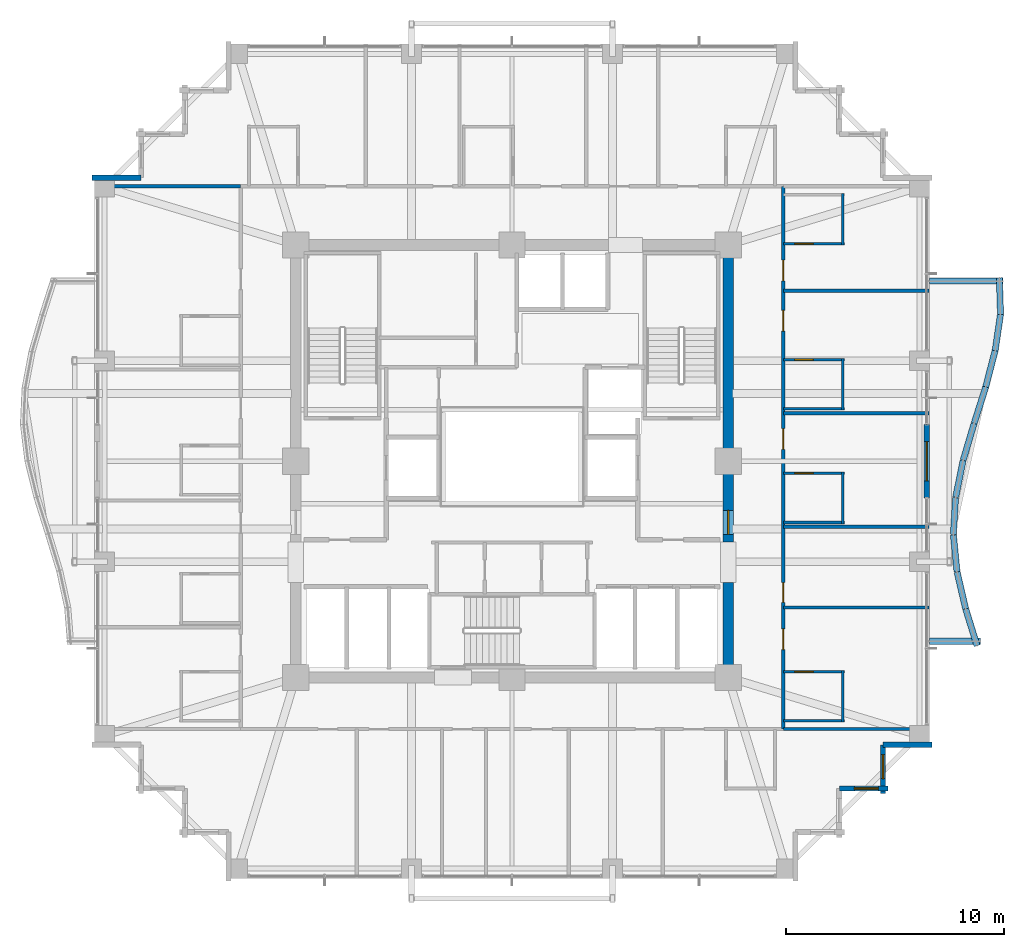
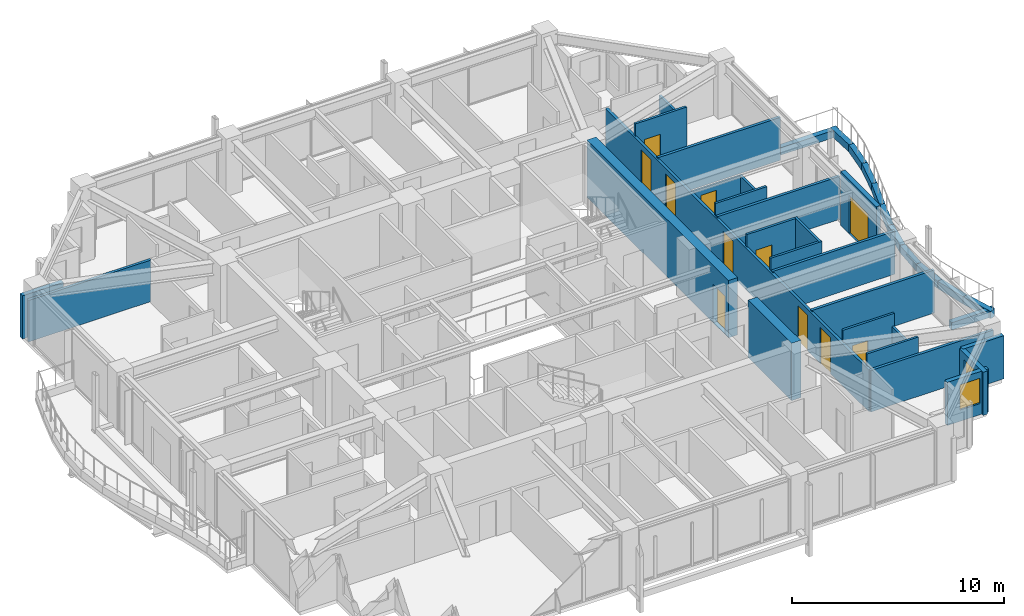
# One storey, part 33 of 37: 37 walls, 11 doors, 2 windows, 13 openings.
"""IFC4 building model written with IfcOpenShell, lengths in metres."""

from ifc_helpers import new_model, si_unit, direction, frame, frame_2d, origin, place, context, subcontext, project, spatial, rectangle, extrude, material, layer, layer_set, type_object, element, fill, save


model = new_model("IFC4")

# Units and contexts
model_context = context("Model", 3, precision=1e-05, world=origin(), true_north=direction((0.0, 1.0)))
body_context = subcontext(model_context, "Body", "Model", "MODEL_VIEW")
ifc_project = project(units=[si_unit("LENGTHUNIT", "METRE"), si_unit("AREAUNIT", "SQUARE_METRE"), si_unit("VOLUMEUNIT", "CUBIC_METRE"), si_unit("PLANEANGLEUNIT", "RADIAN"), si_unit("MASSUNIT", "GRAM", prefix="KILO")], contexts=[model_context])

# Site, building, storey
site_placement = place(None, origin())
site = spatial("IfcSite", under=ifc_project, at=site_placement, CompositionType="ELEMENT")
building_placement = place(site_placement, origin())
building = spatial("IfcBuilding", under=site, at=building_placement, Name="Kolvaren Belvedere", CompositionType="ELEMENT")
storey_placement = place(building_placement, frame((0.0, 0.0, 156.89990234375)))
storey = spatial("IfcBuildingStorey", under=building, at=storey_placement, Name="L45", CompositionType="ELEMENT", Elevation=156.89990234375)

# Wall
ifc_material_1 = material(Name="Concrete C50/60", Category="concrete")
ifc_layer_1 = layer(ifc_material_1, 0.5)
ifc_layer_set_1 = layer_set([ifc_layer_1], Name="Concrete C50/60")
wall_type_1 = type_object("IfcWallType", Name="CW-CORE-500", PredefinedType="SHEAR", material=ifc_layer_set_1)
wall_1_placement = place(storey_placement, frame((9.89990234375, -9.64990234375, 0.0), z_axis=(0.0, 0.0, 1.0), x_axis=(0.0, 1.0, 0.0)))
element("IfcWall", 1, at=wall_1_placement, inside=storey, type_object=wall_type_1, Name="L45 East Core Shear Wall 1", PredefinedType="SHEAR", context=body_context, shape_type="SweptSolid", body=[
    extrude(rectangle(XDim=4.099853515625, YDim=0.5, at=frame_2d((2.0498046875, 0.0))), origin(), (0.0, 0.0, 1.0), 3.300048828125),
])

# Wall, opening, door
wall_2_placement = place(storey_placement, frame((9.89990234375, -3.699951171875, 0.0), z_axis=(0.0, 0.0, 1.0), x_axis=(0.0, 1.0, 0.0)))
wall_2 = element("IfcWall", 2, at=wall_2_placement, inside=storey, type_object=wall_type_1, Name="L45 East Core Shear Wall 2", PredefinedType="SHEAR", context=body_context, shape_type="SweptSolid", body=[
    extrude(rectangle(XDim=13.349853515625, YDim=0.5, at=frame_2d((6.6748046875, 0.0))), origin(), (0.0, 0.0, 1.0), 3.300048828125),
])
opening_1_placement = place(wall_2_placement, frame((0.35009765625, 0.0, 0.0)))
opening_1 = element("IfcOpeningElement", 3, at=opening_1_placement, cuts=wall_2, Name="Opening D-FD90", PredefinedType="OPENING", context=body_context, shape_type="SweptSolid", body=[
    extrude(rectangle(XDim=1.10009765625, YDim=2.199951171875, at=frame_2d((0.550048828125, 1.10009765625))), frame((0.0, 0.260009765625, 0.0), z_axis=(0.0, -1.0, 0.0), x_axis=(1.0, 0.0, 0.0)), (0.0, 0.0, 1.0), 0.52001953125),
])
ifc_material_2 = material(Name="Painted hollow stainless steel", Category="steel")
door_type_1 = type_object("IfcDoorType", Name="DR-FD90-1100", OperationType="NOTDEFINED", PredefinedType="DOOR", material=ifc_material_2)
door_1_placement = place(opening_1_placement, origin())
door_1 = element("IfcDoor", 4, at=door_1_placement, inside=storey, type_object=door_type_1, Name="L45 East Firefighting Lobby Fire Door", OperationType="SINGLE_SWING_RIGHT", OverallHeight=2.199951171875, OverallWidth=1.10009765625, PredefinedType="DOOR", context=body_context, shape_type="SweptSolid", body=[
    extrude(rectangle(XDim=1.10009765625, YDim=2.199951171875, at=frame_2d((0.550048828125, 1.10009765625))), frame((0.0, 0.02490234375, 0.0), z_axis=(0.0, -1.0, 0.0), x_axis=(1.0, 0.0, 0.0)), (0.0, 0.0, 1.0), 0.050048828125),
])
fill(opening_1, door_1)

# Wall, openings, doors
ifc_material_3 = material(Name="Gypsum fire-rated partition assembly", Category="gypsum")
ifc_layer_2 = layer(ifc_material_3, 0.14990234375)
ifc_layer_set_2 = layer_set([ifc_layer_2], Name="Gypsum fire-rated partition assembly")
wall_type_2 = type_object("IfcWallType", Name="WL-CORR-150", PredefinedType="PARTITIONING", material=ifc_layer_set_2)
wall_3_placement = place(storey_placement, frame((12.419921875, -12.260009765625, 0.0), z_axis=(0.0, 0.0, 1.0), x_axis=(0.0, 1.0, 0.0)))
wall_3 = element("IfcWall", 5, at=wall_3_placement, inside=storey, type_object=wall_type_2, Name="L45 East Corridor Wall", PredefinedType="PARTITIONING", context=body_context, shape_type="SweptSolid", body=[
    extrude(rectangle(XDim=24.840087890625, YDim=0.14990234375, at=frame_2d((12.419921875, 0.0))), origin(), (0.0, 0.0, 1.0), 2.38916015625),
])
opening_2_placement = place(wall_3_placement, frame((3.63134765625, 0.0, 0.0)))
opening_2 = element("IfcOpeningElement", 6, at=opening_2_placement, cuts=wall_3, Name="Opening D-FD60", PredefinedType="OPENING", context=body_context, shape_type="SweptSolid", body=[
    extrude(rectangle(XDim=0.949951171875, YDim=2.06005859375, at=frame_2d((0.47509765625, 1.030029296875))), frame((0.0, 0.0849609375, 0.0), z_axis=(0.0, -1.0, 0.0), x_axis=(1.0, 0.0, 0.0)), (0.0, 0.0, 1.0), 0.169921875),
])
opening_3_placement = place(wall_3_placement, frame((5.796875, 0.0, 0.0)))
opening_3 = element("IfcOpeningElement", 7, at=opening_3_placement, cuts=wall_3, Name="Opening D-INT90", PredefinedType="OPENING", context=body_context, shape_type="SweptSolid", body=[
    extrude(rectangle(XDim=0.89990234375, YDim=2.06005859375, at=frame_2d((0.449951171875, 1.030029296875))), frame((0.0, 0.0849609375, 0.0), z_axis=(0.0, -1.0, 0.0), x_axis=(1.0, 0.0, 0.0)), (0.0, 0.0, 1.0), 0.169921875),
])
opening_4_placement = place(wall_3_placement, frame((12.800537109375, 0.0, 0.0)))
opening_4 = element("IfcOpeningElement", 8, at=opening_4_placement, cuts=wall_3, Name="Opening D-FD60", PredefinedType="OPENING", context=body_context, shape_type="SweptSolid", body=[
    extrude(rectangle(XDim=0.949951171875, YDim=2.06005859375, at=frame_2d((0.47509765625, 1.030029296875))), frame((0.0, 0.0849609375, 0.0), z_axis=(0.0, -1.0, 0.0), x_axis=(1.0, 0.0, 0.0)), (0.0, 0.0, 1.0), 0.169921875),
])
opening_5_placement = place(wall_3_placement, frame((18.216796875, 0.0, 0.0)))
opening_5 = element("IfcOpeningElement", 9, at=opening_5_placement, cuts=wall_3, Name="Opening D-FD60", PredefinedType="OPENING", context=body_context, shape_type="SweptSolid", body=[
    extrude(rectangle(XDim=0.949951171875, YDim=2.06005859375, at=frame_2d((0.47509765625, 1.030029296875))), frame((0.0, 0.0849609375, 0.0), z_axis=(0.0, -1.0, 0.0), x_axis=(1.0, 0.0, 0.0)), (0.0, 0.0, 1.0), 0.169921875),
])
opening_6_placement = place(wall_3_placement, frame((20.517333984375, 0.0, 0.0)))
opening_6 = element("IfcOpeningElement", 10, at=opening_6_placement, cuts=wall_3, Name="Opening D-FD60", PredefinedType="OPENING", context=body_context, shape_type="SweptSolid", body=[
    extrude(rectangle(XDim=0.949951171875, YDim=2.06005859375, at=frame_2d((0.47509765625, 1.030029296875))), frame((0.0, 0.0849609375, 0.0), z_axis=(0.0, -1.0, 0.0), x_axis=(1.0, 0.0, 0.0)), (0.0, 0.0, 1.0), 0.169921875),
])
ifc_material_4 = material(Name="Acoustic white-oak fire door leaf", Category="timber")
door_type_2 = type_object("IfcDoorType", Name="DR-FD60-950", OperationType="NOTDEFINED", PredefinedType="DOOR", material=ifc_material_4)
door_2_placement = place(opening_2_placement, origin())
door_2 = element("IfcDoor", 11, at=door_2_placement, inside=storey, type_object=door_type_2, Name="L45 King Guest Room 4505 Entry Door", OperationType="SINGLE_SWING_LEFT", OverallHeight=2.06005859375, OverallWidth=0.949951171875, PredefinedType="DOOR", context=body_context, shape_type="SweptSolid", body=[
    extrude(rectangle(XDim=0.949951171875, YDim=2.06005859375, at=frame_2d((0.47509765625, 1.030029296875))), frame((0.0, 0.02490234375, 0.0), z_axis=(0.0, -1.0, 0.0), x_axis=(1.0, 0.0, 0.0)), (0.0, 0.0, 1.0), 0.050048828125),
])
fill(opening_2, door_2)
door_3_placement = place(opening_4_placement, origin())
door_3 = element("IfcDoor", 12, at=door_3_placement, inside=storey, type_object=door_type_2, Name="L45 King Guest Room 4507 Entry Door", OperationType="SINGLE_SWING_RIGHT", OverallHeight=2.06005859375, OverallWidth=0.949951171875, PredefinedType="DOOR", context=body_context, shape_type="SweptSolid", body=[
    extrude(rectangle(XDim=0.949951171875, YDim=2.06005859375, at=frame_2d((0.47509765625, 1.030029296875))), frame((0.0, 0.02490234375, 0.0), z_axis=(0.0, -1.0, 0.0), x_axis=(1.0, 0.0, 0.0)), (0.0, 0.0, 1.0), 0.050048828125),
])
fill(opening_4, door_3)
door_4_placement = place(opening_5_placement, origin())
door_4 = element("IfcDoor", 13, at=door_4_placement, inside=storey, type_object=door_type_2, Name="L45 King Guest Room 4508 Entry Door", OperationType="SINGLE_SWING_RIGHT", OverallHeight=2.06005859375, OverallWidth=0.949951171875, PredefinedType="DOOR", context=body_context, shape_type="SweptSolid", body=[
    extrude(rectangle(XDim=0.949951171875, YDim=2.06005859375, at=frame_2d((0.47509765625, 1.030029296875))), frame((0.0, 0.02490234375, 0.0), z_axis=(0.0, -1.0, 0.0), x_axis=(1.0, 0.0, 0.0)), (0.0, 0.0, 1.0), 0.050048828125),
])
fill(opening_5, door_4)
door_5_placement = place(opening_6_placement, origin())
door_5 = element("IfcDoor", 14, at=door_5_placement, inside=storey, type_object=door_type_2, Name="L45 Botanical Hospitality Suite 4509 Entry Door", OperationType="SINGLE_SWING_RIGHT", OverallHeight=2.06005859375, OverallWidth=0.949951171875, PredefinedType="DOOR", context=body_context, shape_type="SweptSolid", body=[
    extrude(rectangle(XDim=0.949951171875, YDim=2.06005859375, at=frame_2d((0.47509765625, 1.030029296875))), frame((0.0, 0.02490234375, 0.0), z_axis=(0.0, -1.0, 0.0), x_axis=(1.0, 0.0, 0.0)), (0.0, 0.0, 1.0), 0.050048828125),
])
fill(opening_6, door_5)
ifc_material_5 = material(Name="Stained Pacific white oak", Category="timber")
door_type_3 = type_object("IfcDoorType", Name="DR-INT-900", OperationType="NOTDEFINED", PredefinedType="DOOR", material=ifc_material_5)
door_6_placement = place(opening_3_placement, origin())
door_6 = element("IfcDoor", 15, at=door_6_placement, inside=storey, type_object=door_type_3, Name="L45 Lounge 4506 Door", OperationType="SINGLE_SWING_RIGHT", OverallHeight=2.06005859375, OverallWidth=0.89990234375, PredefinedType="DOOR", context=body_context, shape_type="SweptSolid", body=[
    extrude(rectangle(XDim=0.89990234375, YDim=2.06005859375, at=frame_2d((0.449951171875, 1.030029296875))), frame((0.0, 0.02490234375, 0.0), z_axis=(0.0, -1.0, 0.0), x_axis=(1.0, 0.0, 0.0)), (0.0, 0.0, 1.0), 0.050048828125),
])
fill(opening_3, door_6)

# Wall, opening, window
ifc_material_6 = material(Name="Insulated pale-metal facade wall assembly", Category="aluminium")
ifc_layer_3 = layer(ifc_material_6, 0.239990234375)
ifc_layer_set_3 = layer_set([ifc_layer_3], Name="Insulated pale-metal facade wall assembly")
wall_type_3 = type_object("IfcWallType", Name="WL-EXT-240", PredefinedType="STANDARD", material=ifc_layer_set_3)
wall_4_placement = place(storey_placement, frame((17.219970703125, -14.97998046875, 0.0), z_axis=(0.0, 0.0, 1.0), x_axis=(-1.0, 0.0, 0.0)))
wall_4 = element("IfcWall", 16, at=wall_4_placement, inside=storey, type_object=wall_type_3, Name="L45 Serrated Corner Facade Wall 5", PredefinedType="STANDARD", context=body_context, shape_type="SweptSolid", body=[
    extrude(rectangle(XDim=2.239990234375, YDim=0.239990234375, at=frame_2d((1.1201171875, 0.0))), origin(), (0.0, 0.0, 1.0), 2.483154296875),
])
opening_7_placement = place(wall_4_placement, frame((0.449951171875, 0.0, 0.64990234375)))
opening_7 = element("IfcOpeningElement", 17, at=opening_7_placement, cuts=wall_4, Name="Opening W-1100", PredefinedType="OPENING", context=body_context, shape_type="SweptSolid", body=[
    extrude(rectangle(XDim=1.10009765625, YDim=1.449951171875, at=frame_2d((0.550048828125, 0.72509765625))), frame((0.0, 0.1298828125, 0.0), z_axis=(0.0, -1.0, 0.0), x_axis=(1.0, 0.0, 0.0)), (0.0, 0.0, 1.0), 0.260009765625),
])
ifc_material_7 = material(Name="Low-iron triple insulated glass", Category="glass")
window_type = type_object("IfcWindowType", Name="WN-CORN-1100", PartitioningType="SINGLE_PANEL", PredefinedType="WINDOW", material=ifc_material_7)
window_1_placement = place(opening_7_placement, origin())
window_1 = element("IfcWindow", 18, at=window_1_placement, inside=storey, type_object=window_type, Name="L45 Serrated Corner Vision Window 5", OverallHeight=1.449951171875, OverallWidth=1.10009765625, PartitioningType="SINGLE_PANEL", PredefinedType="WINDOW", context=body_context, shape_type="SweptSolid", body=[
    extrude(rectangle(XDim=1.10009765625, YDim=1.449951171875, at=frame_2d((0.550048828125, 0.72509765625))), frame((0.0, 0.030029296875, 0.0), z_axis=(0.0, -1.0, 0.0), x_axis=(1.0, 0.0, 0.0)), (0.0, 0.0, 1.0), 0.06005859375),
])
fill(opening_7, window_1)

wall_5_placement = place(storey_placement, frame((16.97998046875, -12.97998046875, 0.0), z_axis=(0.0, 0.0, 1.0), x_axis=(0.0, -1.0, 0.0)))
wall_5 = element("IfcWall", 19, at=wall_5_placement, inside=storey, type_object=wall_type_3, Name="L45 Serrated Corner Facade Wall 6", PredefinedType="STANDARD", context=body_context, shape_type="SweptSolid", body=[
    extrude(rectangle(XDim=2.239990234375, YDim=0.239990234375, at=frame_2d((1.1201171875, 0.0))), origin(), (0.0, 0.0, 1.0), 2.483154296875),
])
opening_8_placement = place(wall_5_placement, frame((0.449951171875, 0.0, 0.64990234375)))
opening_8 = element("IfcOpeningElement", 20, at=opening_8_placement, cuts=wall_5, Name="Opening W-1100", PredefinedType="OPENING", context=body_context, shape_type="SweptSolid", body=[
    extrude(rectangle(XDim=1.10009765625, YDim=1.449951171875, at=frame_2d((0.550048828125, 0.72509765625))), frame((0.0, 0.1298828125, 0.0), z_axis=(0.0, -1.0, 0.0), x_axis=(1.0, 0.0, 0.0)), (0.0, 0.0, 1.0), 0.260009765625),
])
window_2_placement = place(opening_8_placement, origin())
window_2 = element("IfcWindow", 21, at=window_2_placement, inside=storey, type_object=window_type, Name="L45 Serrated Corner Vision Window 6", OverallHeight=1.449951171875, OverallWidth=1.10009765625, PartitioningType="SINGLE_PANEL", PredefinedType="WINDOW", context=body_context, shape_type="SweptSolid", body=[
    extrude(rectangle(XDim=1.10009765625, YDim=1.449951171875, at=frame_2d((0.550048828125, 0.72509765625))), frame((0.0, 0.030029296875, 0.0), z_axis=(0.0, -1.0, 0.0), x_axis=(1.0, 0.0, 0.0)), (0.0, 0.0, 1.0), 0.06005859375),
])
fill(opening_8, window_2)

# Wall
wall_6_placement = place(storey_placement, frame((19.219970703125, -12.97998046875, 0.0), z_axis=(0.0, 0.0, 1.0), x_axis=(-1.0, 0.0, 0.0)))
element("IfcWall", 22, at=wall_6_placement, inside=storey, type_object=wall_type_3, Name="L45 Serrated Corner Facade Wall 7", PredefinedType="STANDARD", context=body_context, shape_type="SweptSolid", body=[
    extrude(rectangle(XDim=2.239990234375, YDim=0.239990234375, at=frame_2d((1.1201171875, 0.0))), origin(), (0.0, 0.0, 1.0), 2.483154296875),
])

# Wall, opening, door
wall_7_placement = place(storey_placement, frame((18.97998046875, 1.679931640625, 0.0), z_axis=(0.0, 0.0, 1.0), x_axis=(0.0, -1.0, 0.0)))
wall_7 = element("IfcWall", 23, at=wall_7_placement, inside=storey, type_object=wall_type_3, Name="L45 East Terrace Portal Wall", PredefinedType="STANDARD", context=body_context, shape_type="SweptSolid", body=[
    extrude(rectangle(XDim=3.35986328125, YDim=0.239990234375, at=frame_2d((1.679931640625, 0.0))), origin(), (0.0, 0.0, 1.0), 3.10009765625),
])
opening_9_placement = place(wall_7_placement, frame((0.780029296875, 0.0, 0.0)))
opening_9 = element("IfcOpeningElement", 24, at=opening_9_placement, cuts=wall_7, Name="Opening DB-1800", PredefinedType="OPENING", context=body_context, shape_type="SweptSolid", body=[
    extrude(rectangle(XDim=1.800048828125, YDim=2.199951171875, at=frame_2d((0.89990234375, 1.10009765625))), frame((0.0, 0.1298828125, 0.0), z_axis=(0.0, -1.0, 0.0), x_axis=(1.0, 0.0, 0.0)), (0.0, 0.0, 1.0), 0.260009765625),
])
ifc_material_8 = material(Name="Thermally broken pale-metal aluminium & low-iron glass", Category="aluminium")
door_type_4 = type_object("IfcDoorType", Name="DR-BAL-1800", OperationType="DOUBLE_DOOR_SLIDING", PredefinedType="DOOR", material=ifc_material_8)
door_7_placement = place(opening_9_placement, origin())
door_7 = element("IfcDoor", 25, at=door_7_placement, inside=storey, type_object=door_type_4, Name="L45 East Planted Terrace Sliding Door", OperationType="DOUBLE_DOOR_SLIDING", OverallHeight=2.199951171875, OverallWidth=1.800048828125, PredefinedType="DOOR", context=body_context, shape_type="SweptSolid", body=[
    extrude(rectangle(XDim=1.800048828125, YDim=2.199951171875, at=frame_2d((0.89990234375, 1.10009765625))), frame((0.0, 0.02490234375, 0.0), z_axis=(0.0, -1.0, 0.0), x_axis=(1.0, 0.0, 0.0)), (0.0, 0.0, 1.0), 0.050048828125),
])
fill(opening_9, door_7)

# Walls
wall_8_placement = place(storey_placement, frame((-19.219970703125, 12.97998046875, 0.0), z_axis=(0.0, 0.0, 1.0), x_axis=(1.0, 0.0, 0.0)))
element("IfcWall", 26, at=wall_8_placement, inside=storey, type_object=wall_type_3, Name="L45 Serrated Corner Facade Wall 21", PredefinedType="STANDARD", context=body_context, shape_type="SweptSolid", body=[
    extrude(rectangle(XDim=2.239990234375, YDim=0.239990234375, at=frame_2d((1.1201171875, 0.0))), origin(), (0.0, 0.0, 1.0), 2.483154296875),
])
ifc_material_9 = material(Name="Gypsum acoustic partition assembly", Category="gypsum")
ifc_layer_4 = layer(ifc_material_9, 0.14990234375)
ifc_layer_set_4 = layer_set([ifc_layer_4], Name="Gypsum acoustic partition assembly")
wall_type_4 = type_object("IfcWallType", Name="WL-PART-150", PredefinedType="PARTITIONING", material=ifc_layer_set_4)
for number, where, z_axis, x_axis, name in (
    (27, (12.419921875, -12.260009765625, 0.0), (0.0, 0.0, 1.0), (1.0, 0.0, 0.0), "L45 Wing Divider PW-L45-QSE"),
    (28, (-19.080078125, 12.580078125, 0.0), (0.0, 0.0, 1.0), (1.0, 0.0, 0.0), "L45 Wing Divider PW-L45-QNW"),
):
    element("IfcWall", number, at=place(storey_placement, frame(where, z_axis=z_axis, x_axis=x_axis)), inside=storey, type_object=wall_type_4, Name=name, PredefinedType="PARTITIONING", context=body_context, shape_type="SweptSolid", body=[
        extrude(rectangle(XDim=6.66015625, YDim=0.14990234375, at=frame_2d((3.330078125, 0.0))), origin(), (0.0, 0.0, 1.0), 2.38916015625),
    ])
for number, where, z_axis, x_axis, name in (
    (29, (12.419921875, -6.699951171875, 0.0), (0.0, 0.0, 1.0), (1.0, 0.0, 0.0), "L45 East Suite Demising Wall 1"),
    (30, (12.419921875, -3.0, 0.0), (0.0, 0.0, 1.0), (1.0, 0.0, 0.0), "L45 East Suite Demising Wall 2"),
    (31, (12.419921875, 2.199951171875, 0.0), (0.0, 0.0, 1.0), (1.0, 0.0, 0.0), "L45 East Suite Demising Wall 3"),
    (32, (12.419921875, 7.800048828125, 0.0), (0.0, 0.0, 1.0), (1.0, 0.0, 0.0), "L45 East Suite Demising Wall 4"),
):
    element("IfcWall", number, at=place(storey_placement, frame(where, z_axis=z_axis, x_axis=x_axis)), inside=storey, type_object=wall_type_4, Name=name, PredefinedType="PARTITIONING", context=body_context, shape_type="SweptSolid", body=[
        extrude(rectangle(XDim=6.66015625, YDim=0.14990234375, at=frame_2d((3.330078125, 0.0))), origin(), (0.0, 0.0, 1.0), 2.47314453125),
    ])
ifc_material_10 = material(Name="Precast concrete C40/50", Category="concrete")
ifc_layer_5 = layer(ifc_material_10, 0.300048828125)
ifc_layer_set_5 = layer_set([ifc_layer_5], Name="Precast concrete C40/50")
wall_type_5 = type_object("IfcWallType", Name="WL-PLANTER-300", PredefinedType="PARAPET", material=ifc_layer_set_5)
wall_9_placement = place(storey_placement, frame((21.287109375, -8.447265625, -0.02001953125), z_axis=(0.0, 0.0, 1.0), x_axis=(-0.295831524561, 0.95524013163, 0.0)))
element("IfcWall", 33, at=wall_9_placement, inside=storey, type_object=wall_type_5, Name="L45 Precast Structural Planter Wall BAL-E-1", PredefinedType="PARAPET", context=body_context, shape_type="SweptSolid", body=[
    extrude(rectangle(XDim=1.758544921875, YDim=0.280029296875, at=frame_2d((0.87939453125, 0.0))), origin(), (0.0, 0.0, 1.0), 0.420166015625),
])
wall_10_placement = place(storey_placement, frame((20.763916015625, -6.75634765625, -0.02001953125), z_axis=(0.0, 0.0, 1.0), x_axis=(-0.227019323824, 0.973890253884, 0.0)))
element("IfcWall", 34, at=wall_10_placement, inside=storey, type_object=wall_type_5, Name="L45 Precast Structural Planter Wall BAL-E-2", PredefinedType="PARAPET", context=body_context, shape_type="SweptSolid", body=[
    extrude(rectangle(XDim=1.724853515625, YDim=0.280029296875, at=frame_2d((0.8623046875, 0.0))), origin(), (0.0, 0.0, 1.0), 0.420166015625),
])
wall_11_placement = place(storey_placement, frame((20.368896484375, -5.0556640625, -0.02001953125), z_axis=(0.0, 0.0, 1.0), x_axis=(-0.098343801694, 0.995152499202, 0.0)))
element("IfcWall", 35, at=wall_11_placement, inside=storey, type_object=wall_type_5, Name="L45 Precast Structural Planter Wall BAL-E-3", PredefinedType="PARAPET", context=body_context, shape_type="SweptSolid", body=[
    extrude(rectangle(XDim=1.688232421875, YDim=0.280029296875, at=frame_2d((0.84423828125, 0.0))), origin(), (0.0, 0.0, 1.0), 0.420166015625),
])
wall_12_placement = place(storey_placement, frame((20.202392578125, -3.350341796875, -0.02001953125), z_axis=(0.0, 0.0, 1.0), x_axis=(0.059767979379, 0.998212296378, 0.0)))
element("IfcWall", 36, at=wall_12_placement, inside=storey, type_object=wall_type_5, Name="L45 Precast Structural Planter Wall BAL-E-4", PredefinedType="PARAPET", context=body_context, shape_type="SweptSolid", body=[
    extrude(rectangle(XDim=1.682861328125, YDim=0.280029296875, at=frame_2d((0.84130859375, 0.0))), origin(), (0.0, 0.0, 1.0), 0.420166015625),
])
wall_13_placement = place(storey_placement, frame((20.305908203125, -1.64794921875, -0.02001953125), z_axis=(0.0, 0.0, 1.0), x_axis=(0.199784246163, 0.979839912937, 0.0)))
element("IfcWall", 37, at=wall_13_placement, inside=storey, type_object=wall_type_5, Name="L45 Precast Structural Planter Wall BAL-E-5", PredefinedType="PARAPET", context=body_context, shape_type="SweptSolid", body=[
    extrude(rectangle(XDim=1.714599609375, YDim=0.280029296875, at=frame_2d((0.857421875, 0.0))), origin(), (0.0, 0.0, 1.0), 0.420166015625),
])
wall_14_placement = place(storey_placement, frame((20.65185546875, 0.045654296875, -0.02001953125), z_axis=(0.0, 0.0, 1.0), x_axis=(0.284880325779, 0.95856309129, 0.0)))
element("IfcWall", 38, at=wall_14_placement, inside=storey, type_object=wall_type_5, Name="L45 Precast Structural Planter Wall BAL-E-6", PredefinedType="PARAPET", context=body_context, shape_type="SweptSolid", body=[
    extrude(rectangle(XDim=1.75244140625, YDim=0.280029296875, at=frame_2d((0.876220703125, 0.0))), origin(), (0.0, 0.0, 1.0), 0.420166015625),
])
wall_15_placement = place(storey_placement, frame((21.152099609375, 1.728515625, -0.02001953125), z_axis=(0.0, 0.0, 1.0), x_axis=(0.302397356111, 0.953181954832, 0.0)))
element("IfcWall", 39, at=wall_15_placement, inside=storey, type_object=wall_type_5, Name="L45 Precast Structural Planter Wall BAL-E-7", PredefinedType="PARAPET", context=body_context, shape_type="SweptSolid", body=[
    extrude(rectangle(XDim=1.762451171875, YDim=0.280029296875, at=frame_2d((0.88134765625, 0.0))), origin(), (0.0, 0.0, 1.0), 0.420166015625),
])
wall_16_placement = place(storey_placement, frame((21.6826171875, 3.400146484375, -0.02001953125), z_axis=(0.0, 0.0, 1.0), x_axis=(0.250439664624, 0.968132209145, 0.0)))
element("IfcWall", 40, at=wall_16_placement, inside=storey, type_object=wall_type_5, Name="L45 Precast Structural Planter Wall BAL-E-8", PredefinedType="PARAPET", context=body_context, shape_type="SweptSolid", body=[
    extrude(rectangle(XDim=1.7353515625, YDim=0.280029296875, at=frame_2d((0.86767578125, 0.0))), origin(), (0.0, 0.0, 1.0), 0.420166015625),
])
wall_17_placement = place(storey_placement, frame((22.114013671875, 5.063232421875, -0.02001953125), z_axis=(0.0, 0.0, 1.0), x_axis=(0.145907826437, 0.98929818871, 0.0)))
element("IfcWall", 41, at=wall_17_placement, inside=storey, type_object=wall_type_5, Name="L45 Precast Structural Planter Wall BAL-E-9", PredefinedType="PARAPET", context=body_context, shape_type="SweptSolid", body=[
    extrude(rectangle(XDim=1.6982421875, YDim=0.280029296875, at=frame_2d((0.84912109375, 0.0))), origin(), (0.0, 0.0, 1.0), 0.420166015625),
])
wall_18_placement = place(storey_placement, frame((22.360107421875, 6.715087890625, -0.02001953125), z_axis=(0.0, 0.0, 1.0), x_axis=(-0.031520443874, 0.999503107358, 0.0)))
element("IfcWall", 42, at=wall_18_placement, inside=storey, type_object=wall_type_5, Name="L45 Precast Structural Planter Wall BAL-E-10", PredefinedType="PARAPET", context=body_context, shape_type="SweptSolid", body=[
    extrude(rectangle(XDim=1.6806640625, YDim=0.280029296875, at=frame_2d((0.84033203125, 0.0))), origin(), (0.0, 0.0, 1.0), 0.420166015625),
])
wall_19_placement = place(storey_placement, frame((22.467041015625, 8.239990234375, -0.02001953125), z_axis=(0.0, 0.0, 1.0), x_axis=(-1.0, 0.0, 0.0)))
element("IfcWall", 43, at=wall_19_placement, inside=storey, type_object=wall_type_5, Name="L45 Precast Structural Planter Wall BAL-E-11", PredefinedType="PARAPET", context=body_context, shape_type="SweptSolid", body=[
    extrude(rectangle(XDim=3.366943359375, YDim=0.280029296875, at=frame_2d((1.68359375, 0.0))), origin(), (0.0, 0.0, 1.0), 0.420166015625),
])
wall_20_placement = place(storey_placement, frame((19.10009765625, -8.239990234375, -0.02001953125), z_axis=(0.0, 0.0, 1.0), x_axis=(1.0, 0.0, 0.0)))
element("IfcWall", 44, at=wall_20_placement, inside=storey, type_object=wall_type_5, Name="L45 Precast Structural Planter Wall BAL-E-22", PredefinedType="PARAPET", context=body_context, shape_type="SweptSolid", body=[
    extrude(rectangle(XDim=2.33984375, YDim=0.280029296875, at=frame_2d((1.169921875, 0.0))), origin(), (0.0, 0.0, 1.0), 0.420166015625),
])

# Wall, opening, door
ifc_material_11 = material(Name="Moisture-resistant gypsum partition", Category="gypsum")
ifc_layer_6 = layer(ifc_material_11, 0.125)
ifc_layer_set_6 = layer_set([ifc_layer_6], Name="Moisture-resistant gypsum partition")
wall_type_6 = type_object("IfcWallType", Name="WL-WET-125", PredefinedType="PARTITIONING", material=ifc_layer_set_6)
wall_21_placement = place(storey_placement, frame((12.43505859375, -9.631103515625, 0.0), z_axis=(0.0, 0.0, 1.0), x_axis=(1.0, 0.0, 0.0)))
wall_21 = element("IfcWall", 45, at=wall_21_placement, inside=storey, type_object=wall_type_6, Name="L45 Bathroom Partition PW-L45-BTH-5-N", PredefinedType="PARTITIONING", context=body_context, shape_type="SweptSolid", body=[
    extrude(rectangle(XDim=2.7900390625, YDim=0.125, at=frame_2d((1.39501953125, 0.0))), origin(), (0.0, 0.0, 1.0), 3.10009765625),
])
opening_10_placement = place(wall_21_placement, frame((0.5, 0.0, 0.0)))
opening_10 = element("IfcOpeningElement", 46, at=opening_10_placement, cuts=wall_21, Name="Opening D-BTH85", PredefinedType="OPENING", context=body_context, shape_type="SweptSolid", body=[
    extrude(rectangle(XDim=0.85009765625, YDim=2.030029296875, at=frame_2d((0.425048828125, 1.01513671875))), frame((0.0, 0.072509765625, 0.0), z_axis=(0.0, -1.0, 0.0), x_axis=(1.0, 0.0, 0.0)), (0.0, 0.0, 1.0), 0.14501953125),
])
ifc_material_12 = material(Name="Moisture-sealed Pacific white oak", Category="timber")
door_type_5 = type_object("IfcDoorType", Name="DR-BATH-850", OperationType="NOTDEFINED", PredefinedType="DOOR", material=ifc_material_12)
door_8_placement = place(opening_10_placement, origin())
door_8 = element("IfcDoor", 47, at=door_8_placement, inside=storey, type_object=door_type_5, Name="L45 En-Suite Bathroom 4505 Door", OperationType="SINGLE_SWING_RIGHT", OverallHeight=2.030029296875, OverallWidth=0.85009765625, PredefinedType="DOOR", context=body_context, shape_type="SweptSolid", body=[
    extrude(rectangle(XDim=0.85009765625, YDim=2.030029296875, at=frame_2d((0.425048828125, 1.01513671875))), frame((0.0, 0.02490234375, 0.0), z_axis=(0.0, -1.0, 0.0), x_axis=(1.0, 0.0, 0.0)), (0.0, 0.0, 1.0), 0.050048828125),
])
fill(opening_10, door_8)

# Walls
wall_22_placement = place(storey_placement, frame((15.14501953125, -11.94091796875, 0.0), z_axis=(0.0, 0.0, 1.0), x_axis=(0.0, 1.0, 0.0)))
element("IfcWall", 48, at=wall_22_placement, inside=storey, type_object=wall_type_6, Name="L45 Bathroom Partition PW-L45-BTH-5-V", PredefinedType="PARTITIONING", context=body_context, shape_type="SweptSolid", body=[
    extrude(rectangle(XDim=2.369873046875, YDim=0.125, at=frame_2d((1.18505859375, 0.0))), origin(), (0.0, 0.0, 1.0), 2.38916015625),
])
wall_23_placement = place(storey_placement, frame((12.43505859375, -11.881103515625, 0.0), z_axis=(0.0, 0.0, 1.0), x_axis=(1.0, 0.0, 0.0)))
element("IfcWall", 49, at=wall_23_placement, inside=storey, type_object=wall_type_6, Name="L45 Bathroom Partition PW-L45-BTH-5-S", PredefinedType="PARTITIONING", context=body_context, shape_type="SweptSolid", body=[
    extrude(rectangle(XDim=2.7900390625, YDim=0.125, at=frame_2d((1.39501953125, 0.0))), origin(), (0.0, 0.0, 1.0), 3.10009765625),
])

# Wall, opening, door
wall_24_placement = place(storey_placement, frame((12.43505859375, -0.554931640625, 0.0), z_axis=(0.0, 0.0, 1.0), x_axis=(1.0, 0.0, 0.0)))
wall_24 = element("IfcWall", 50, at=wall_24_placement, inside=storey, type_object=wall_type_6, Name="L45 Bathroom Partition PW-L45-BTH-7-N", PredefinedType="PARTITIONING", context=body_context, shape_type="SweptSolid", body=[
    extrude(rectangle(XDim=2.7900390625, YDim=0.125, at=frame_2d((1.39501953125, 0.0))), origin(), (0.0, 0.0, 1.0), 3.10009765625),
])
opening_11_placement = place(wall_24_placement, frame((0.5, 0.0, 0.0)))
opening_11 = element("IfcOpeningElement", 51, at=opening_11_placement, cuts=wall_24, Name="Opening D-BTH85", PredefinedType="OPENING", context=body_context, shape_type="SweptSolid", body=[
    extrude(rectangle(XDim=0.85009765625, YDim=2.030029296875, at=frame_2d((0.425048828125, 1.01513671875))), frame((0.0, 0.072509765625, 0.0), z_axis=(0.0, -1.0, 0.0), x_axis=(1.0, 0.0, 0.0)), (0.0, 0.0, 1.0), 0.14501953125),
])
door_9_placement = place(opening_11_placement, origin())
door_9 = element("IfcDoor", 52, at=door_9_placement, inside=storey, type_object=door_type_5, Name="L45 En-Suite Bathroom 4507 Door", OperationType="SINGLE_SWING_LEFT", OverallHeight=2.030029296875, OverallWidth=0.85009765625, PredefinedType="DOOR", context=body_context, shape_type="SweptSolid", body=[
    extrude(rectangle(XDim=0.85009765625, YDim=2.030029296875, at=frame_2d((0.425048828125, 1.01513671875))), frame((0.0, 0.02490234375, 0.0), z_axis=(0.0, -1.0, 0.0), x_axis=(1.0, 0.0, 0.0)), (0.0, 0.0, 1.0), 0.050048828125),
])
fill(opening_11, door_9)

# Walls
wall_25_placement = place(storey_placement, frame((15.14501953125, -2.864990234375, 0.0), z_axis=(0.0, 0.0, 1.0), x_axis=(0.0, 1.0, 0.0)))
element("IfcWall", 53, at=wall_25_placement, inside=storey, type_object=wall_type_6, Name="L45 Bathroom Partition PW-L45-BTH-7-V", PredefinedType="PARTITIONING", context=body_context, shape_type="SweptSolid", body=[
    extrude(rectangle(XDim=2.369873046875, YDim=0.125, at=frame_2d((1.18505859375, 0.0))), origin(), (0.0, 0.0, 1.0), 3.10009765625),
])
wall_26_placement = place(storey_placement, frame((12.43505859375, -2.804931640625, 0.0), z_axis=(0.0, 0.0, 1.0), x_axis=(1.0, 0.0, 0.0)))
element("IfcWall", 54, at=wall_26_placement, inside=storey, type_object=wall_type_6, Name="L45 Bathroom Partition PW-L45-BTH-7-S", PredefinedType="PARTITIONING", context=body_context, shape_type="SweptSolid", body=[
    extrude(rectangle(XDim=2.7900390625, YDim=0.125, at=frame_2d((1.39501953125, 0.0))), origin(), (0.0, 0.0, 1.0), 3.10009765625),
])

# Wall, opening, door
wall_27_placement = place(storey_placement, frame((12.43505859375, 4.64501953125, 0.0), z_axis=(0.0, 0.0, 1.0), x_axis=(1.0, 0.0, 0.0)))
wall_27 = element("IfcWall", 55, at=wall_27_placement, inside=storey, type_object=wall_type_6, Name="L45 Bathroom Partition PW-L45-BTH-8-N", PredefinedType="PARTITIONING", context=body_context, shape_type="SweptSolid", body=[
    extrude(rectangle(XDim=2.7900390625, YDim=0.125, at=frame_2d((1.39501953125, 0.0))), origin(), (0.0, 0.0, 1.0), 2.38916015625),
])
opening_12_placement = place(wall_27_placement, frame((0.5, 0.0, 0.0)))
opening_12 = element("IfcOpeningElement", 56, at=opening_12_placement, cuts=wall_27, Name="Opening D-BTH85", PredefinedType="OPENING", context=body_context, shape_type="SweptSolid", body=[
    extrude(rectangle(XDim=0.85009765625, YDim=2.030029296875, at=frame_2d((0.425048828125, 1.01513671875))), frame((0.0, 0.072509765625, 0.0), z_axis=(0.0, -1.0, 0.0), x_axis=(1.0, 0.0, 0.0)), (0.0, 0.0, 1.0), 0.14501953125),
])
door_10_placement = place(opening_12_placement, origin())
door_10 = element("IfcDoor", 57, at=door_10_placement, inside=storey, type_object=door_type_5, Name="L45 En-Suite Bathroom 4508 Door", OperationType="SINGLE_SWING_LEFT", OverallHeight=2.030029296875, OverallWidth=0.85009765625, PredefinedType="DOOR", context=body_context, shape_type="SweptSolid", body=[
    extrude(rectangle(XDim=0.85009765625, YDim=2.030029296875, at=frame_2d((0.425048828125, 1.01513671875))), frame((0.0, 0.02490234375, 0.0), z_axis=(0.0, -1.0, 0.0), x_axis=(1.0, 0.0, 0.0)), (0.0, 0.0, 1.0), 0.050048828125),
])
fill(opening_12, door_10)

# Walls
wall_28_placement = place(storey_placement, frame((15.14501953125, 2.3349609375, 0.0), z_axis=(0.0, 0.0, 1.0), x_axis=(0.0, 1.0, 0.0)))
element("IfcWall", 58, at=wall_28_placement, inside=storey, type_object=wall_type_6, Name="L45 Bathroom Partition PW-L45-BTH-8-V", PredefinedType="PARTITIONING", context=body_context, shape_type="SweptSolid", body=[
    extrude(rectangle(XDim=2.3701171875, YDim=0.125, at=frame_2d((1.18505859375, 0.0))), origin(), (0.0, 0.0, 1.0), 2.38916015625),
])
wall_29_placement = place(storey_placement, frame((12.43505859375, 2.39501953125, 0.0), z_axis=(0.0, 0.0, 1.0), x_axis=(1.0, 0.0, 0.0)))
element("IfcWall", 59, at=wall_29_placement, inside=storey, type_object=wall_type_6, Name="L45 Bathroom Partition PW-L45-BTH-8-S", PredefinedType="PARTITIONING", context=body_context, shape_type="SweptSolid", body=[
    extrude(rectangle(XDim=2.7900390625, YDim=0.125, at=frame_2d((1.39501953125, 0.0))), origin(), (0.0, 0.0, 1.0), 3.10009765625),
])

# Wall, opening, door
wall_30_placement = place(storey_placement, frame((12.43505859375, 9.950927734375, 0.0), z_axis=(0.0, 0.0, 1.0), x_axis=(1.0, 0.0, 0.0)))
wall_30 = element("IfcWall", 60, at=wall_30_placement, inside=storey, type_object=wall_type_6, Name="L45 Bathroom Partition PW-L45-BTH-9-N", PredefinedType="PARTITIONING", context=body_context, shape_type="SweptSolid", body=[
    extrude(rectangle(XDim=2.7900390625, YDim=0.125, at=frame_2d((1.39501953125, 0.0))), origin(), (0.0, 0.0, 1.0), 3.10009765625),
])
opening_13_placement = place(wall_30_placement, frame((0.5, 0.0, 0.0)))
opening_13 = element("IfcOpeningElement", 61, at=opening_13_placement, cuts=wall_30, Name="Opening D-BTH85", PredefinedType="OPENING", context=body_context, shape_type="SweptSolid", body=[
    extrude(rectangle(XDim=0.85009765625, YDim=2.030029296875, at=frame_2d((0.425048828125, 1.01513671875))), frame((0.0, 0.072509765625, 0.0), z_axis=(0.0, -1.0, 0.0), x_axis=(1.0, 0.0, 0.0)), (0.0, 0.0, 1.0), 0.14501953125),
])
door_11_placement = place(opening_13_placement, origin())
door_11 = element("IfcDoor", 62, at=door_11_placement, inside=storey, type_object=door_type_5, Name="L45 En-Suite Bathroom 4509 Door", OperationType="SINGLE_SWING_LEFT", OverallHeight=2.030029296875, OverallWidth=0.85009765625, PredefinedType="DOOR", context=body_context, shape_type="SweptSolid", body=[
    extrude(rectangle(XDim=0.85009765625, YDim=2.030029296875, at=frame_2d((0.425048828125, 1.01513671875))), frame((0.0, 0.02490234375, 0.0), z_axis=(0.0, -1.0, 0.0), x_axis=(1.0, 0.0, 0.0)), (0.0, 0.0, 1.0), 0.050048828125),
])
fill(opening_13, door_11)

# Wall
wall_31_placement = place(storey_placement, frame((15.14501953125, 9.89111328125, 0.0), z_axis=(0.0, 0.0, 1.0), x_axis=(0.0, 1.0, 0.0)))
element("IfcWall", 63, at=wall_31_placement, inside=storey, type_object=wall_type_6, Name="L45 Bathroom Partition PW-L45-BTH-9-V", PredefinedType="PARTITIONING", context=body_context, shape_type="SweptSolid", body=[
    extrude(rectangle(XDim=2.369873046875, YDim=0.125, at=frame_2d((1.18505859375, 0.0))), origin(), (0.0, 0.0, 1.0), 2.38916015625),
])

save(model, "model.ifc")
